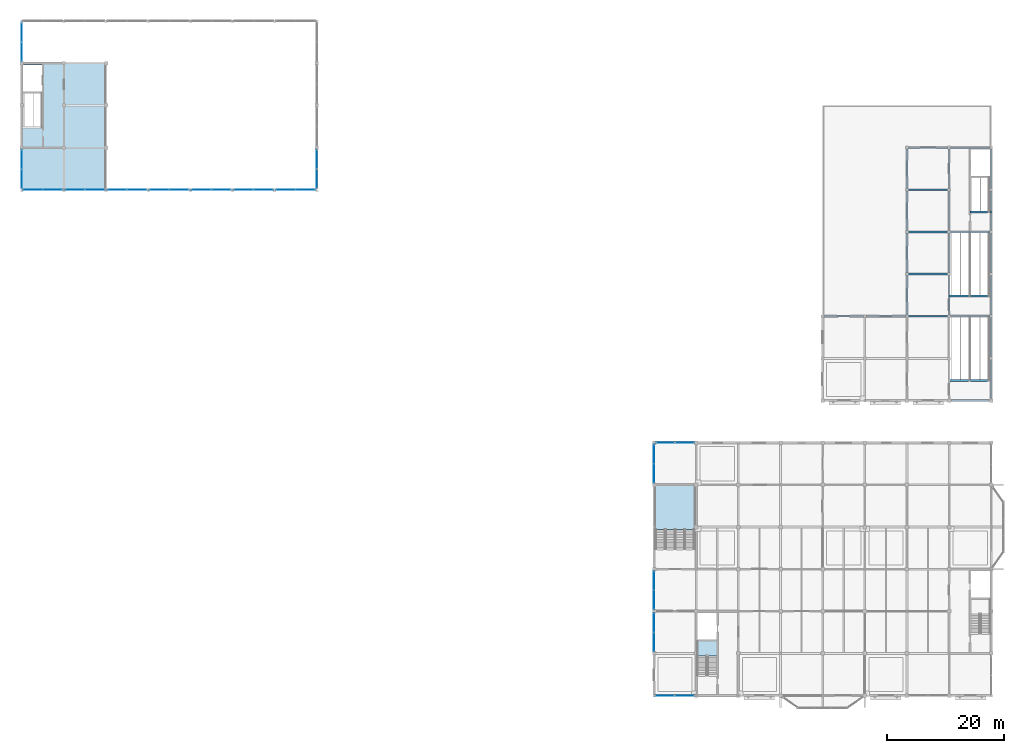
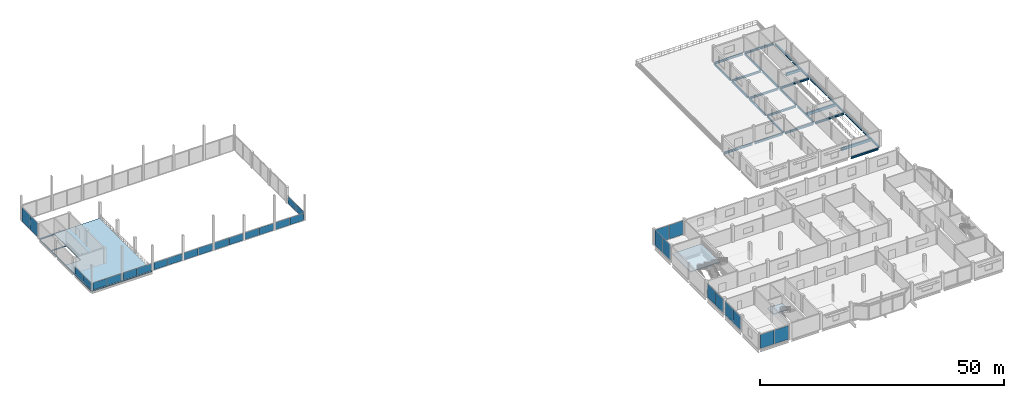
# One storey, part 33 of 51: 30 plates, 28 beams, 3 slabs, 17 elements without a shape of their own.
"""IFC4 building model written with IfcOpenShell, lengths in metres."""

import ifcopenshell
import ifcopenshell.guid

model = None  # the IFC model being written
_history = None  # IfcOwnerHistory: only IFC2X3 demands one
_inside = {}  # id of a spatial element -> (the spatial element, [elements in it])
_under = {}  # id of a project, library or spatial element -> (it, [spatial elements below it])
_declared = {}  # id of a project -> (the project, [libraries it declares])
_typed = {}  # id of a type object -> (the type object, [elements of that type])
_made_of = {}  # id of a material, layer set ... -> (it, [elements and type objects made of it])


def new_model(schema):
    """Start an empty IFC model of exactly this schema.

    Asked for "IFC4X3", IfcOpenShell would pick the latest addendum, in which some entities
    have other attributes; the version numbers below select the first issue.
    IFC2X3 requires an IfcOwnerHistory on every rooted entity: one is made here for all.
    """
    global model, _history
    if schema == "IFC4X3":
        model = ifcopenshell.file(schema_version=(4, 3, 0, 0))
    else:
        model = ifcopenshell.file(schema=schema)
    _inside.clear()
    _under.clear()
    _declared.clear()
    _typed.clear()
    _made_of.clear()
    _history = None
    if model.schema == "IFC2X3":
        org = make("IfcOrganization", Name="unknown")
        user = make(
            "IfcPersonAndOrganization",
            ThePerson=make("IfcPerson", FamilyName="unknown"),
            TheOrganization=org,
        )
        app = make(
            "IfcApplication",
            ApplicationDeveloper=org,
            Version="unknown",
            ApplicationFullName="unknown",
            ApplicationIdentifier="unknown",
        )
        _history = make(
            "IfcOwnerHistory",
            OwningUser=user,
            OwningApplication=app,
            ChangeAction="ADDED",
            CreationDate=0,
        )
    return model


def make(cls, **values):
    """One entity of the class cls with the attributes given. An attribute that is None is left unset."""
    return model.create_entity(
        cls, **{name: value for name, value in values.items() if value is not None}
    )


def rooted(cls, **values):
    """An entity with a GlobalId (a new one), such as an element, a storey or a relation."""
    return make(cls, GlobalId=ifcopenshell.guid.new(), OwnerHistory=_history, **values)


def si_unit(unit_type, name, prefix=None):
    """IfcSIUnit, for example si_unit("LENGTHUNIT", "METRE", prefix="MILLI")."""
    return make("IfcSIUnit", UnitType=unit_type, Prefix=prefix, Name=name)


def assignment(units):
    """IfcUnitAssignment: the units of a project."""
    return None if units is None else make("IfcUnitAssignment", Units=units)


def point(xyz):
    """IfcCartesianPoint."""
    return None if xyz is None else make("IfcCartesianPoint", Coordinates=xyz)


def direction(xyz):
    """IfcDirection."""
    return None if xyz is None else make("IfcDirection", DirectionRatios=xyz)


def frame(location, z_axis=None, x_axis=None):
    """IfcAxis2Placement3D, a coordinate frame: its origin and axes. An axis left out is left unset."""
    return make(
        "IfcAxis2Placement3D",
        Location=point(location),
        Axis=direction(z_axis),
        RefDirection=direction(x_axis),
    )


def frame_2d(location, x_axis=None):
    """IfcAxis2Placement2D, a coordinate frame in the plane: its origin and x axis."""
    return make(
        "IfcAxis2Placement2D", Location=point(location), RefDirection=direction(x_axis)
    )


def origin():
    """The frame at (0, 0, 0) with its axes left unset."""
    return frame((0.0, 0.0, 0.0))


def origin_2d():
    """The frame at (0, 0) in the plane with its x axis left unset."""
    return frame_2d((0.0, 0.0))


def place(relative_to, where):
    """IfcLocalPlacement: puts the frame where relative to a parent placement (None: the world)."""
    return make(
        "IfcLocalPlacement", PlacementRelTo=relative_to, RelativePlacement=where
    )


def context(
    kind, dimensions, precision=None, world=None, true_north=None, identifier=None
):
    """IfcGeometricRepresentationContext, for example the 3D "Model" context."""
    return make(
        "IfcGeometricRepresentationContext",
        ContextIdentifier=identifier,
        ContextType=kind,
        CoordinateSpaceDimension=dimensions,
        Precision=precision,
        WorldCoordinateSystem=world,
        TrueNorth=true_north,
    )


def subcontext(parent, identifier, kind, view, scale=None):
    """IfcGeometricRepresentationSubContext, for example "Body" below "Model"."""
    return make(
        "IfcGeometricRepresentationSubContext",
        ContextIdentifier=identifier,
        ContextType=kind,
        ParentContext=parent,
        TargetScale=scale,
        TargetView=view,
    )


def project(units=None, contexts=None):
    """IfcProject with its units and contexts."""
    return rooted(
        "IfcProject",
        Name="project",
        RepresentationContexts=contexts,
        UnitsInContext=assignment(units),
    )


def spatial(cls, under=None, at=None, **own):
    """A site, building, storey or space (cls), placed at a placement, below another one or the project."""
    s = rooted(cls, ObjectPlacement=at, **own)
    if under is not None:
        _under.setdefault(under.id(), (under, []))[1].append(s)
    return s


def polyline(points):
    """IfcPolyline through the points."""
    return make("IfcPolyline", Points=[point(p) for p in points])


def profile(cls, at=None, kind="AREA", **sizes):
    """A parametric profile (cls). Its sizes go by their IFC names, for example OverallWidth=200.0."""
    return make(cls, ProfileType=kind, Position=at, **sizes)


def rectangle(**sizes):
    """IfcRectangleProfileDef."""
    return profile("IfcRectangleProfileDef", **sizes)


def i_section(**sizes):
    """IfcIShapeProfileDef."""
    return profile("IfcIShapeProfileDef", **sizes)


def outline(outer, holes=None, kind="AREA"):
    """IfcArbitraryClosedProfileDef: a profile drawn as a closed curve; with holes, ...WithVoids."""
    if holes is None:
        return make("IfcArbitraryClosedProfileDef", ProfileType=kind, OuterCurve=outer)
    return make(
        "IfcArbitraryProfileDefWithVoids",
        ProfileType=kind,
        OuterCurve=outer,
        InnerCurves=holes,
    )


def extrude(swept, where, along, depth):
    """IfcExtrudedAreaSolid: the profile swept, set in the frame where, extruded along a direction by depth."""
    return make(
        "IfcExtrudedAreaSolid",
        SweptArea=swept,
        Position=where,
        ExtrudedDirection=direction(along),
        Depth=depth,
    )


def shape(context_of_items, identifier, shape_type, items):
    """IfcShapeRepresentation: the items that make up one representation, for example the "Body"."""
    return make(
        "IfcShapeRepresentation",
        ContextOfItems=context_of_items,
        RepresentationIdentifier=identifier,
        RepresentationType=shape_type,
        Items=items,
    )


def material(Name=None, Category=None):
    """IfcMaterial."""
    return make("IfcMaterial", Name=Name, Category=Category)


def layer(
    of_material, thickness, ventilated=None, Name=None, Category=None, Priority=None
):
    """IfcMaterialLayer: one layer of a wall or slab, of a material (None: an air gap)."""
    return make(
        "IfcMaterialLayer",
        Material=of_material,
        LayerThickness=thickness,
        IsVentilated=ventilated,
        Name=Name,
        Category=Category,
        Priority=Priority,
    )


def layer_set(layers, Name=None):
    """IfcMaterialLayerSet."""
    return make("IfcMaterialLayerSet", MaterialLayers=layers, LayerSetName=Name)


def material_profile(
    of_material, cross_section, Name=None, Category=None, Priority=None
):
    """IfcMaterialProfile: a cross section and its material."""
    return make(
        "IfcMaterialProfile",
        Name=Name,
        Material=of_material,
        Profile=cross_section,
        Priority=Priority,
        Category=Category,
    )


def profile_set(profiles, Name=None, composite=None):
    """IfcMaterialProfileSet."""
    return make(
        "IfcMaterialProfileSet",
        Name=Name,
        MaterialProfiles=profiles,
        CompositeProfile=composite,
    )


def made_of(thing, what):
    """Note that an element or type object is made of a material, layer set ...; save() writes the relation."""
    if what is not None:
        _made_of.setdefault(what.id(), (what, []))[1].append(thing)
    return thing


def type_object(cls, material=None, **own):
    """A type object (cls), such as IfcWallType, which elements share."""
    return made_of(rooted(cls, **own), material)


def element(
    cls,
    number,
    at=None,
    inside=None,
    cuts=None,
    type_object=None,
    material=None,
    context=None,
    identifier="Body",
    shape_type=None,
    held_by="IfcProductDefinitionShape",
    body=None,
    shapes=None,
    **own,
):
    """One element of the class cls, such as IfcWall. Its Tag is "e" and its number.

    at: its placement. inside: the storey or other place that contains it. cuts: it is an
    opening in that element (IfcRelVoidsElement). A single representation is given by context,
    identifier, shape_type and body (its items); several are given by shapes. held_by: the class
    of the entity that holds the representations. save() writes the other relations.
    """
    e = rooted(cls, Tag="e%d" % number, ObjectPlacement=at, **own)
    if body is not None:
        shapes = [shape(context, identifier, shape_type, body)]
    if shapes is not None:
        e.Representation = make(held_by, Representations=shapes)
    if inside is not None:
        _inside.setdefault(inside.id(), (inside, []))[1].append(e)
    if cuts is not None:
        rooted(
            "IfcRelVoidsElement", RelatingBuildingElement=cuts, RelatedOpeningElement=e
        )
    if type_object is not None:
        _typed.setdefault(type_object.id(), (type_object, []))[1].append(e)
    return made_of(e, material)


def aggregate(whole, parts):
    """IfcRelAggregates: a whole, such as a stair, and the parts it consists of."""
    return rooted("IfcRelAggregates", RelatingObject=whole, RelatedObjects=parts)


def save(model, path):
    """Write the relations noted so far, then the file.

    IfcRelAggregates (storeys below a building ...), IfcRelContainedInSpatialStructure (elements
    in a storey), IfcRelDefinesByType, IfcRelAssociatesMaterial and IfcRelDeclares: one each for
    every whole, place, type object, material and project.
    """
    for whole, parts in _under.values():
        aggregate(whole, parts)
    for where, things in _inside.values():
        rooted(
            "IfcRelContainedInSpatialStructure",
            RelatedElements=things,
            RelatingStructure=where,
        )
    for kind, things in _typed.values():
        rooted("IfcRelDefinesByType", RelatedObjects=things, RelatingType=kind)
    for what, things in _made_of.values():
        rooted("IfcRelAssociatesMaterial", RelatedObjects=things, RelatingMaterial=what)
    for by, libraries in _declared.values():
        rooted("IfcRelDeclares", RelatingContext=by, RelatedDefinitions=libraries)
    model.write(path)


model = new_model("IFC4")

# Units and contexts
model_context = context("Model", 3, precision=1e-05, world=origin(), true_north=direction((0.0, 1.0)))
body_context = subcontext(model_context, "Body", "Model", "MODEL_VIEW")
ifc_project = project(units=[si_unit("LENGTHUNIT", "METRE"), si_unit("AREAUNIT", "SQUARE_METRE"), si_unit("VOLUMEUNIT", "CUBIC_METRE"), si_unit("PLANEANGLEUNIT", "RADIAN"), si_unit("MASSUNIT", "GRAM", prefix="KILO")], contexts=[model_context])

# Site, building, storey
site_placement = place(None, origin())
site = spatial("IfcSite", under=ifc_project, at=site_placement, CompositionType="ELEMENT")
building_placement = place(site_placement, origin())
building = spatial("IfcBuilding", under=site, at=building_placement, Name="Vesperath Aquatics Centre", CompositionType="ELEMENT")
storey_placement = place(building_placement, frame((0.0, 0.0, 15.0)))
storey = spatial("IfcBuildingStorey", under=building, at=storey_placement, Name="L03", CompositionType="ELEMENT", Elevation=15.0)

# Beams
ifc_material_1 = material(Name="Concrete C35", Category="concrete")
ifc_material_profile_1 = material_profile(ifc_material_1, rectangle(XDim=0.35009765625, YDim=0.64990234375, at=origin_2d()), Name="RC 350x650")
ifc_profile_set_1 = profile_set([ifc_material_profile_1], Name="Concrete C35")
beam_type_1 = type_object("IfcBeamType", Name="BM-G05", PredefinedType="BEAM", material=ifc_profile_set_1)
beam_1_placement = place(storey_placement, frame((169.199951171875, 82.6201171875, -0.324951171875), z_axis=(1.0, 0.0, 0.0), x_axis=(0.0, 1.0, 0.0)))
element("IfcBeam", 1, at=beam_1_placement, inside=storey, type_object=beam_type_1, Name="Stair ST4 Landing Trimmer Beam B05 L03", PredefinedType="BEAM", context=body_context, shape_type="SweptSolid", body=[
    extrude(rectangle(XDim=0.35009765625, YDim=0.64990234375, at=origin_2d()), origin(), (0.0, 0.0, 1.0), 3.60009765625),
])
for number, where, z_axis, x_axis, name in (
    (2, (165.60009765625, 53.820068359375, -0.324951171875), (1.0, 0.0, 0.0), (0.0, 1.0, 0.0), "Stair ST12 Landing Trimmer Beam B05 L03"),
    (3, (165.60009765625, 68.219970703125, -0.324951171875), (1.0, 0.0, 0.0), (0.0, 1.0, 0.0), "Stair ST13 Landing Trimmer Beam B05 L03"),
):
    element("IfcBeam", number, at=place(storey_placement, frame(where, z_axis=z_axis, x_axis=x_axis)), inside=storey, type_object=beam_type_1, Name=name, PredefinedType="BEAM", context=body_context, shape_type="SweptSolid", body=[
        extrude(rectangle(XDim=0.35009765625, YDim=0.64990234375, at=origin_2d()), origin(), (0.0, 0.0, 1.0), 7.199951171875),
    ])
ifc_material_2 = material(Name="Steel Q355C", Category="steel")
ifc_material_profile_2 = material_profile(ifc_material_2, i_section(OverallWidth=0.300048828125, OverallDepth=0.488037109375, WebThickness=0.010986328125, FlangeThickness=0.01806640625, FilletRadius=0.02587890625, at=origin_2d()), Name="HM 488x300x11x18")
ifc_profile_set_2 = profile_set([ifc_material_profile_2], Name="Steel Q355C")
beam_type_2 = type_object("IfcBeamType", Name="BM-G10", PredefinedType="BEAM", material=ifc_profile_set_2)
beam_2_placement = place(storey_placement, frame((144.203125, 64.800048828125, -0.48388671875), z_axis=(1.0, 0.0, 0.0), x_axis=(0.0, 1.0, 0.0)))
element("IfcBeam", 4, at=beam_2_placement, inside=storey, type_object=beam_type_2, Name="Floor Girder B10 L03 K 21-22", PredefinedType="BEAM", context=body_context, shape_type="SweptSolid", body=[
    extrude(i_section(OverallWidth=0.300048828125, OverallDepth=0.488037109375, WebThickness=0.010986328125, FlangeThickness=0.01806640625, FilletRadius=0.02587890625, at=origin_2d()), origin(), (0.0, 0.0, 1.0), 6.793701171875),
])
for number, where, z_axis, x_axis, name in (
    (5, (151.4033203125, 64.800048828125, -0.48388671875), (1.0, 0.0, 0.0), (0.0, 1.0, 0.0), "Floor Girder B10 L03 K 22-23"),
    (6, (158.603271484375, 64.800048828125, -0.48388671875), (1.0, 0.0, 0.0), (0.0, 1.0, 0.0), "Floor Girder B10 L03 K 23-24"),
    (7, (158.603271484375, 72.0, -0.48388671875), (1.0, 0.0, 0.0), (0.0, 1.0, 0.0), "Floor Girder B10 L03 L 23-24"),
    (8, (158.603271484375, 79.199951171875, -0.48388671875), (1.0, 0.0, 0.0), (0.0, 1.0, 0.0), "Floor Girder B10 L03 M 23-24"),
    (9, (158.603271484375, 86.39990234375, -0.48388671875), (1.0, 0.0, 0.0), (0.0, 1.0, 0.0), "Floor Girder B10 L03 N 23-24"),
    (10, (158.603271484375, 93.60009765625, -0.48388671875), (1.0, 0.0, 0.0), (0.0, 1.0, 0.0), "Floor Girder B10 L03 P 23-24"),
):
    element("IfcBeam", number, at=place(storey_placement, frame(where, z_axis=z_axis, x_axis=x_axis)), inside=storey, type_object=beam_type_2, Name=name, PredefinedType="BEAM", context=body_context, shape_type="SweptSolid", body=[
        extrude(i_section(OverallWidth=0.300048828125, OverallDepth=0.488037109375, WebThickness=0.010986328125, FlangeThickness=0.01806640625, FilletRadius=0.02587890625, at=origin_2d()), origin(), (0.0, 0.0, 1.0), 6.79345703125),
    ])
beam_3_placement = place(storey_placement, frame((165.949951171875, 50.39990234375, -0.48388671875), z_axis=(1.0, 0.0, 0.0), x_axis=(0.0, 1.0, 0.0)))
element("IfcBeam", 11, at=beam_3_placement, inside=storey, type_object=beam_type_2, Name="Floor Girder B10 L03 H 24-25", PredefinedType="BEAM", context=body_context, shape_type="SweptSolid", body=[
    extrude(i_section(OverallWidth=0.300048828125, OverallDepth=0.488037109375, WebThickness=0.010986328125, FlangeThickness=0.01806640625, FilletRadius=0.02587890625, at=origin_2d()), origin(), (0.0, 0.0, 1.0), 6.5),
])
for number, where, z_axis, x_axis, name in (
    (12, (165.80322265625, 64.800048828125, -0.48388671875), (1.0, 0.0, 0.0), (0.0, 1.0, 0.0), "Floor Girder B10 L03 K 24-25"),
    (13, (165.80322265625, 79.199951171875, -0.48388671875), (1.0, 0.0, 0.0), (0.0, 1.0, 0.0), "Floor Girder B10 L03 M 24-25"),
    (14, (165.80322265625, 93.60009765625, -0.48388671875), (1.0, 0.0, 0.0), (0.0, 1.0, 0.0), "Floor Girder B10 L03 P 24-25"),
):
    element("IfcBeam", number, at=place(storey_placement, frame(where, z_axis=z_axis, x_axis=x_axis)), inside=storey, type_object=beam_type_2, Name=name, PredefinedType="BEAM", context=body_context, shape_type="SweptSolid", body=[
        extrude(i_section(OverallWidth=0.300048828125, OverallDepth=0.488037109375, WebThickness=0.010986328125, FlangeThickness=0.01806640625, FilletRadius=0.02587890625, at=origin_2d()), origin(), (0.0, 0.0, 1.0), 6.79345703125),
    ])
ifc_material_profile_3 = material_profile(ifc_material_2, i_section(OverallWidth=0.300048828125, OverallDepth=0.389892578125, WebThickness=0.010009765625, FlangeThickness=0.01611328125, FilletRadius=0.02197265625, at=origin_2d()), Name="HM 390x300x10x16")
ifc_profile_set_3 = profile_set([ifc_material_profile_3], Name="Steel Q355C")
beam_type_3 = type_object("IfcBeamType", Name="BM-G11", PredefinedType="BEAM", material=ifc_profile_set_3)
for number, where, z_axis, x_axis, name in (
    (15, (158.39990234375, 65.003173828125, -0.43505859375), (0.0, 1.0, 0.0), (-1.0, 0.0, 0.0), "Floor Girder B11 L03 23 K-L"),
    (16, (158.39990234375, 72.203125, -0.43505859375), (0.0, 1.0, 0.0), (-1.0, 0.0, 0.0), "Floor Girder B11 L03 23 L-M"),
):
    element("IfcBeam", number, at=place(storey_placement, frame(where, z_axis=z_axis, x_axis=x_axis)), inside=storey, type_object=beam_type_3, Name=name, PredefinedType="BEAM", context=body_context, shape_type="SweptSolid", body=[
        extrude(i_section(OverallWidth=0.300048828125, OverallDepth=0.389892578125, WebThickness=0.010009765625, FlangeThickness=0.01611328125, FilletRadius=0.02197265625, at=origin_2d()), origin(), (0.0, 0.0, 1.0), 6.793701171875),
    ])
for number, where, z_axis, x_axis, name in (
    (17, (158.39990234375, 79.4033203125, -0.43505859375), (0.0, 1.0, 0.0), (-1.0, 0.0, 0.0), "Floor Girder B11 L03 23 M-N"),
    (18, (158.39990234375, 86.603271484375, -0.43505859375), (0.0, 1.0, 0.0), (-1.0, 0.0, 0.0), "Floor Girder B11 L03 23 N-P"),
):
    element("IfcBeam", number, at=place(storey_placement, frame(where, z_axis=z_axis, x_axis=x_axis)), inside=storey, type_object=beam_type_3, Name=name, PredefinedType="BEAM", context=body_context, shape_type="SweptSolid", body=[
        extrude(i_section(OverallWidth=0.300048828125, OverallDepth=0.389892578125, WebThickness=0.010009765625, FlangeThickness=0.01611328125, FilletRadius=0.02197265625, at=origin_2d()), origin(), (0.0, 0.0, 1.0), 6.79345703125),
    ])
for number, where, z_axis, x_axis, name in (
    (19, (165.60009765625, 65.003173828125, -0.43505859375), (0.0, 1.0, 0.0), (-1.0, 0.0, 0.0), "Floor Girder B11 L03 24 K-L"),
    (20, (165.60009765625, 72.203125, -0.43505859375), (0.0, 1.0, 0.0), (-1.0, 0.0, 0.0), "Floor Girder B11 L03 24 L-M"),
):
    element("IfcBeam", number, at=place(storey_placement, frame(where, z_axis=z_axis, x_axis=x_axis)), inside=storey, type_object=beam_type_3, Name=name, PredefinedType="BEAM", context=body_context, shape_type="SweptSolid", body=[
        extrude(i_section(OverallWidth=0.300048828125, OverallDepth=0.389892578125, WebThickness=0.010009765625, FlangeThickness=0.01611328125, FilletRadius=0.02197265625, at=origin_2d()), origin(), (0.0, 0.0, 1.0), 6.793701171875),
    ])
for number, where, z_axis, x_axis, name in (
    (21, (165.60009765625, 79.4033203125, -0.43505859375), (0.0, 1.0, 0.0), (-1.0, 0.0, 0.0), "Floor Girder B11 L03 24 M-N"),
    (22, (165.60009765625, 86.603271484375, -0.43505859375), (0.0, 1.0, 0.0), (-1.0, 0.0, 0.0), "Floor Girder B11 L03 24 N-P"),
):
    element("IfcBeam", number, at=place(storey_placement, frame(where, z_axis=z_axis, x_axis=x_axis)), inside=storey, type_object=beam_type_3, Name=name, PredefinedType="BEAM", context=body_context, shape_type="SweptSolid", body=[
        extrude(i_section(OverallWidth=0.300048828125, OverallDepth=0.389892578125, WebThickness=0.010009765625, FlangeThickness=0.01611328125, FilletRadius=0.02197265625, at=origin_2d()), origin(), (0.0, 0.0, 1.0), 6.79345703125),
    ])
beam_4_placement = place(storey_placement, frame((172.800048828125, 50.75, -0.43505859375), z_axis=(0.0, 1.0, 0.0), x_axis=(-1.0, 0.0, 0.0)))
element("IfcBeam", 23, at=beam_4_placement, inside=storey, type_object=beam_type_3, Name="Floor Girder B11 L03 25 H-J", PredefinedType="BEAM", context=body_context, shape_type="SweptSolid", body=[
    extrude(i_section(OverallWidth=0.300048828125, OverallDepth=0.389892578125, WebThickness=0.010009765625, FlangeThickness=0.01611328125, FilletRadius=0.02197265625, at=origin_2d()), origin(), (0.0, 0.0, 1.0), 6.646728515625),
])
beam_5_placement = place(storey_placement, frame((172.800048828125, 57.80322265625, -0.43505859375), z_axis=(0.0, 1.0, 0.0), x_axis=(-1.0, 0.0, 0.0)))
element("IfcBeam", 24, at=beam_5_placement, inside=storey, type_object=beam_type_3, Name="Floor Girder B11 L03 25 J-K", PredefinedType="BEAM", context=body_context, shape_type="SweptSolid", body=[
    extrude(i_section(OverallWidth=0.300048828125, OverallDepth=0.389892578125, WebThickness=0.010009765625, FlangeThickness=0.01611328125, FilletRadius=0.02197265625, at=origin_2d()), origin(), (0.0, 0.0, 1.0), 6.79345703125),
])
for number, where, z_axis, x_axis, name in (
    (25, (172.800048828125, 65.003173828125, -0.43505859375), (0.0, 1.0, 0.0), (-1.0, 0.0, 0.0), "Floor Girder B11 L03 25 K-L"),
    (26, (172.800048828125, 72.203125, -0.43505859375), (0.0, 1.0, 0.0), (-1.0, 0.0, 0.0), "Floor Girder B11 L03 25 L-M"),
):
    element("IfcBeam", number, at=place(storey_placement, frame(where, z_axis=z_axis, x_axis=x_axis)), inside=storey, type_object=beam_type_3, Name=name, PredefinedType="BEAM", context=body_context, shape_type="SweptSolid", body=[
        extrude(i_section(OverallWidth=0.300048828125, OverallDepth=0.389892578125, WebThickness=0.010009765625, FlangeThickness=0.01611328125, FilletRadius=0.02197265625, at=origin_2d()), origin(), (0.0, 0.0, 1.0), 6.793701171875),
    ])
for number, where, z_axis, x_axis, name in (
    (27, (172.800048828125, 79.4033203125, -0.43505859375), (0.0, 1.0, 0.0), (-1.0, 0.0, 0.0), "Floor Girder B11 L03 25 M-N"),
    (28, (172.800048828125, 86.603271484375, -0.43505859375), (0.0, 1.0, 0.0), (-1.0, 0.0, 0.0), "Floor Girder B11 L03 25 N-P"),
):
    element("IfcBeam", number, at=place(storey_placement, frame(where, z_axis=z_axis, x_axis=x_axis)), inside=storey, type_object=beam_type_3, Name=name, PredefinedType="BEAM", context=body_context, shape_type="SweptSolid", body=[
        extrude(i_section(OverallWidth=0.300048828125, OverallDepth=0.389892578125, WebThickness=0.010009765625, FlangeThickness=0.01611328125, FilletRadius=0.02197265625, at=origin_2d()), origin(), (0.0, 0.0, 1.0), 6.79345703125),
    ])

# Curtain wall, plates
ifc_material_3 = material(Name="Thermally broken anodised bronze aluminium curtain wall", Category="aluminium")
curtain_wall_type_1 = type_object("IfcCurtainWallType", Name="CW-04", PredefinedType="NOTDEFINED", material=ifc_material_3)
curtain_wall_1_placement = place(storey_placement, origin())
curtain_wall_1 = element("IfcCurtainWall", 29, at=curtain_wall_1_placement, inside=storey, type_object=curtain_wall_type_1, Name="Facade Curtain Wall CW04 L03_S_01_12", PredefinedType="NOTDEFINED")
ifc_material_4 = material(Name="Triple low-E argon insulated vision glass", Category="glass")
ifc_layer_1 = layer(ifc_material_4, 0.0380859375)
ifc_layer_set_1 = layer_set([ifc_layer_1], Name="Triple low-E argon insulated vision glass")
plate_type_1 = type_object("IfcPlateType", Name="PT-CWP04", PredefinedType="CURTAIN_PANEL", material=ifc_layer_set_1)
plate_1_placement = place(storey_placement, frame((9.119140625, 86.39990234375, 0.06982421875), z_axis=(0.0, 0.0, 1.0), x_axis=(1.0, 0.0, 0.0)))
plate_1 = element("IfcPlate", 30, at=plate_1_placement, type_object=plate_type_1, Name="CW04 panel 1.1", PredefinedType="CURTAIN_PANEL", context=body_context, shape_type="SweptSolid", body=[
    extrude(rectangle(XDim=3.29150390625, YDim=0.0380859375, at=origin_2d()), origin(), (0.0, 0.0, 1.0), 1.786376953125),
])
plate_2_placement = place(storey_placement, frame((12.480712890625, 86.39990234375, 0.06982421875), z_axis=(0.0, 0.0, 1.0), x_axis=(1.0, 0.0, 0.0)))
plate_2 = element("IfcPlate", 31, at=plate_2_placement, type_object=plate_type_1, Name="CW04 panel 2.1", PredefinedType="CURTAIN_PANEL", context=body_context, shape_type="SweptSolid", body=[
    extrude(rectangle(XDim=3.29150390625, YDim=0.0380859375, at=origin_2d()), origin(), (0.0, 0.0, 1.0), 1.786376953125),
])
aggregate(curtain_wall_1, [plate_1, plate_2])

curtain_wall_2_placement = place(storey_placement, origin())
curtain_wall_2 = element("IfcCurtainWall", 32, at=curtain_wall_2_placement, inside=storey, type_object=curtain_wall_type_1, Name="Facade Curtain Wall CW04 L03_S_02_12", PredefinedType="NOTDEFINED")
plate_3_placement = place(storey_placement, frame((16.3193359375, 86.39990234375, 0.06982421875), z_axis=(0.0, 0.0, 1.0), x_axis=(1.0, 0.0, 0.0)))
plate_3 = element("IfcPlate", 33, at=plate_3_placement, type_object=plate_type_1, Name="CW04 panel 1.1", PredefinedType="CURTAIN_PANEL", context=body_context, shape_type="SweptSolid", body=[
    extrude(rectangle(XDim=3.29150390625, YDim=0.0380859375, at=origin_2d()), origin(), (0.0, 0.0, 1.0), 1.786376953125),
])
plate_4_placement = place(storey_placement, frame((19.6806640625, 86.39990234375, 0.06982421875), z_axis=(0.0, 0.0, 1.0), x_axis=(1.0, 0.0, 0.0)))
plate_4 = element("IfcPlate", 34, at=plate_4_placement, type_object=plate_type_1, Name="CW04 panel 2.1", PredefinedType="CURTAIN_PANEL", context=body_context, shape_type="SweptSolid", body=[
    extrude(rectangle(XDim=3.29150390625, YDim=0.0380859375, at=origin_2d()), origin(), (0.0, 0.0, 1.0), 1.786376953125),
])
aggregate(curtain_wall_2, [plate_3, plate_4])

curtain_wall_3_placement = place(storey_placement, origin())
curtain_wall_3 = element("IfcCurtainWall", 35, at=curtain_wall_3_placement, inside=storey, type_object=curtain_wall_type_1, Name="Facade Curtain Wall CW04 L03_S_03_12", PredefinedType="NOTDEFINED")
plate_5_placement = place(storey_placement, frame((23.519287109375, 86.39990234375, 0.06982421875), z_axis=(0.0, 0.0, 1.0), x_axis=(1.0, 0.0, 0.0)))
plate_5 = element("IfcPlate", 36, at=plate_5_placement, type_object=plate_type_1, Name="CW04 panel 1.1", PredefinedType="CURTAIN_PANEL", context=body_context, shape_type="SweptSolid", body=[
    extrude(rectangle(XDim=3.29150390625, YDim=0.0380859375, at=origin_2d()), origin(), (0.0, 0.0, 1.0), 1.786376953125),
])
plate_6_placement = place(storey_placement, frame((26.880859375, 86.39990234375, 0.06982421875), z_axis=(0.0, 0.0, 1.0), x_axis=(1.0, 0.0, 0.0)))
plate_6 = element("IfcPlate", 37, at=plate_6_placement, type_object=plate_type_1, Name="CW04 panel 2.1", PredefinedType="CURTAIN_PANEL", context=body_context, shape_type="SweptSolid", body=[
    extrude(rectangle(XDim=3.29150390625, YDim=0.0380859375, at=origin_2d()), origin(), (0.0, 0.0, 1.0), 1.786376953125),
])
aggregate(curtain_wall_3, [plate_5, plate_6])

curtain_wall_4_placement = place(storey_placement, origin())
curtain_wall_4 = element("IfcCurtainWall", 38, at=curtain_wall_4_placement, inside=storey, type_object=curtain_wall_type_1, Name="Facade Curtain Wall CW04 L03_S_04_12", PredefinedType="NOTDEFINED")
plate_7_placement = place(storey_placement, frame((30.71923828125, 86.39990234375, 0.06982421875), z_axis=(0.0, 0.0, 1.0), x_axis=(1.0, 0.0, 0.0)))
plate_7 = element("IfcPlate", 39, at=plate_7_placement, type_object=plate_type_1, Name="CW04 panel 1.1", PredefinedType="CURTAIN_PANEL", context=body_context, shape_type="SweptSolid", body=[
    extrude(rectangle(XDim=3.29150390625, YDim=0.0380859375, at=origin_2d()), origin(), (0.0, 0.0, 1.0), 1.786376953125),
])
plate_8_placement = place(storey_placement, frame((34.080810546875, 86.39990234375, 0.06982421875), z_axis=(0.0, 0.0, 1.0), x_axis=(1.0, 0.0, 0.0)))
plate_8 = element("IfcPlate", 40, at=plate_8_placement, type_object=plate_type_1, Name="CW04 panel 2.1", PredefinedType="CURTAIN_PANEL", context=body_context, shape_type="SweptSolid", body=[
    extrude(rectangle(XDim=3.29150390625, YDim=0.0380859375, at=origin_2d()), origin(), (0.0, 0.0, 1.0), 1.786376953125),
])
aggregate(curtain_wall_4, [plate_7, plate_8])

curtain_wall_5_placement = place(storey_placement, origin())
curtain_wall_5 = element("IfcCurtainWall", 41, at=curtain_wall_5_placement, inside=storey, type_object=curtain_wall_type_1, Name="Facade Curtain Wall CW04 L03_S_05_12", PredefinedType="NOTDEFINED")
plate_9_placement = place(storey_placement, frame((37.919189453125, 86.39990234375, 0.06982421875), z_axis=(0.0, 0.0, 1.0), x_axis=(1.0, 0.0, 0.0)))
plate_9 = element("IfcPlate", 42, at=plate_9_placement, type_object=plate_type_1, Name="CW04 panel 1.1", PredefinedType="CURTAIN_PANEL", context=body_context, shape_type="SweptSolid", body=[
    extrude(rectangle(XDim=3.29150390625, YDim=0.0380859375, at=origin_2d()), origin(), (0.0, 0.0, 1.0), 1.786376953125),
])
plate_10_placement = place(storey_placement, frame((41.28076171875, 86.39990234375, 0.06982421875), z_axis=(0.0, 0.0, 1.0), x_axis=(1.0, 0.0, 0.0)))
plate_10 = element("IfcPlate", 43, at=plate_10_placement, type_object=plate_type_1, Name="CW04 panel 2.1", PredefinedType="CURTAIN_PANEL", context=body_context, shape_type="SweptSolid", body=[
    extrude(rectangle(XDim=3.29150390625, YDim=0.0380859375, at=origin_2d()), origin(), (0.0, 0.0, 1.0), 1.786376953125),
])
aggregate(curtain_wall_5, [plate_9, plate_10])

curtain_wall_6_placement = place(storey_placement, origin())
curtain_wall_6 = element("IfcCurtainWall", 44, at=curtain_wall_6_placement, inside=storey, type_object=curtain_wall_type_1, Name="Facade Curtain Wall CW04 L03_S_06_12", PredefinedType="NOTDEFINED")
plate_11_placement = place(storey_placement, frame((45.119140625, 86.39990234375, 0.06982421875), z_axis=(0.0, 0.0, 1.0), x_axis=(1.0, 0.0, 0.0)))
plate_11 = element("IfcPlate", 45, at=plate_11_placement, type_object=plate_type_1, Name="CW04 panel 1.1", PredefinedType="CURTAIN_PANEL", context=body_context, shape_type="SweptSolid", body=[
    extrude(rectangle(XDim=3.29150390625, YDim=0.0380859375, at=origin_2d()), origin(), (0.0, 0.0, 1.0), 1.786376953125),
])
plate_12_placement = place(storey_placement, frame((48.480712890625, 86.39990234375, 0.06982421875), z_axis=(0.0, 0.0, 1.0), x_axis=(1.0, 0.0, 0.0)))
plate_12 = element("IfcPlate", 46, at=plate_12_placement, type_object=plate_type_1, Name="CW04 panel 2.1", PredefinedType="CURTAIN_PANEL", context=body_context, shape_type="SweptSolid", body=[
    extrude(rectangle(XDim=3.29150390625, YDim=0.0380859375, at=origin_2d()), origin(), (0.0, 0.0, 1.0), 1.786376953125),
])
aggregate(curtain_wall_6, [plate_11, plate_12])

curtain_wall_7_placement = place(storey_placement, origin())
curtain_wall_7 = element("IfcCurtainWall", 47, at=curtain_wall_7_placement, inside=storey, type_object=curtain_wall_type_1, Name="Facade Curtain Wall CW04 L03_S_07_12", PredefinedType="NOTDEFINED")
plate_13_placement = place(storey_placement, frame((52.3193359375, 86.39990234375, 0.06982421875), z_axis=(0.0, 0.0, 1.0), x_axis=(1.0, 0.0, 0.0)))
plate_13 = element("IfcPlate", 48, at=plate_13_placement, type_object=plate_type_1, Name="CW04 panel 1.1", PredefinedType="CURTAIN_PANEL", context=body_context, shape_type="SweptSolid", body=[
    extrude(rectangle(XDim=3.29150390625, YDim=0.0380859375, at=origin_2d()), origin(), (0.0, 0.0, 1.0), 1.786376953125),
])
plate_14_placement = place(storey_placement, frame((55.6806640625, 86.39990234375, 0.06982421875), z_axis=(0.0, 0.0, 1.0), x_axis=(1.0, 0.0, 0.0)))
plate_14 = element("IfcPlate", 49, at=plate_14_placement, type_object=plate_type_1, Name="CW04 panel 2.1", PredefinedType="CURTAIN_PANEL", context=body_context, shape_type="SweptSolid", body=[
    extrude(rectangle(XDim=3.29150390625, YDim=0.0380859375, at=origin_2d()), origin(), (0.0, 0.0, 1.0), 1.786376953125),
])
aggregate(curtain_wall_7, [plate_13, plate_14])

curtain_wall_8_placement = place(storey_placement, origin())
curtain_wall_8 = element("IfcCurtainWall", 50, at=curtain_wall_8_placement, inside=storey, type_object=curtain_wall_type_1, Name="Facade Curtain Wall CW04 L03_W_01_12", PredefinedType="NOTDEFINED")
plate_15_placement = place(storey_placement, frame((7.199951171875, 88.302978515625, 0.06982421875), z_axis=(0.0, 0.0, 1.0), x_axis=(0.0, 1.0, 0.0)))
plate_15 = element("IfcPlate", 51, at=plate_15_placement, type_object=plate_type_1, Name="CW04 panel 1.1", PredefinedType="CURTAIN_PANEL", context=body_context, shape_type="SweptSolid", body=[
    extrude(rectangle(XDim=3.238037109375, YDim=0.0380859375, at=origin_2d()), origin(), (0.0, 0.0, 1.0), 1.786376953125),
])
plate_16_placement = place(storey_placement, frame((7.199951171875, 91.611083984375, 0.06982421875), z_axis=(0.0, 0.0, 1.0), x_axis=(0.0, 1.0, 0.0)))
plate_16 = element("IfcPlate", 52, at=plate_16_placement, type_object=plate_type_1, Name="CW04 panel 2.1", PredefinedType="CURTAIN_PANEL", context=body_context, shape_type="SweptSolid", body=[
    extrude(rectangle(XDim=3.238037109375, YDim=0.0380859375, at=origin_2d()), origin(), (0.0, 0.0, 1.0), 1.786376953125),
])
aggregate(curtain_wall_8, [plate_15, plate_16])

curtain_wall_9_placement = place(storey_placement, origin())
curtain_wall_9 = element("IfcCurtainWall", 53, at=curtain_wall_9_placement, inside=storey, type_object=curtain_wall_type_1, Name="Facade Curtain Wall CW04 L03_W_01_15", PredefinedType="NOTDEFINED")
plate_17_placement = place(storey_placement, frame((7.199951171875, 109.992431640625, 0.06982421875), z_axis=(0.0, 0.0, 1.0), x_axis=(0.0, 1.0, 0.0)))
plate_17 = element("IfcPlate", 54, at=plate_17_placement, type_object=plate_type_1, Name="CW04 panel 1.1", PredefinedType="CURTAIN_PANEL", context=body_context, shape_type="SweptSolid", body=[
    extrude(rectangle(XDim=3.2451171875, YDim=0.0380859375, at=origin_2d()), origin(), (0.0, 0.0, 1.0), 3.510009765625),
])
plate_18_placement = place(storey_placement, frame((7.199951171875, 113.3076171875, 0.06982421875), z_axis=(0.0, 0.0, 1.0), x_axis=(0.0, 1.0, 0.0)))
plate_18 = element("IfcPlate", 55, at=plate_18_placement, type_object=plate_type_1, Name="CW04 panel 2.1", PredefinedType="CURTAIN_PANEL", context=body_context, shape_type="SweptSolid", body=[
    extrude(rectangle(XDim=3.2451171875, YDim=0.0380859375, at=origin_2d()), origin(), (0.0, 0.0, 1.0), 3.510009765625),
])
aggregate(curtain_wall_9, [plate_17, plate_18])

curtain_wall_10_placement = place(storey_placement, origin())
curtain_wall_10 = element("IfcCurtainWall", 56, at=curtain_wall_10_placement, inside=storey, type_object=curtain_wall_type_1, Name="Facade Curtain Wall CW04 L03_E_08_12", PredefinedType="NOTDEFINED")
plate_19_placement = place(storey_placement, frame((57.60009765625, 88.302978515625, 0.06982421875), z_axis=(0.0, 0.0, 1.0), x_axis=(0.0, 1.0, 0.0)))
plate_19 = element("IfcPlate", 57, at=plate_19_placement, type_object=plate_type_1, Name="CW04 panel 1.1", PredefinedType="CURTAIN_PANEL", context=body_context, shape_type="SweptSolid", body=[
    extrude(rectangle(XDim=3.238037109375, YDim=0.0380859375, at=origin_2d()), origin(), (0.0, 0.0, 1.0), 1.786376953125),
])
plate_20_placement = place(storey_placement, frame((57.60009765625, 91.611083984375, 0.06982421875), z_axis=(0.0, 0.0, 1.0), x_axis=(0.0, 1.0, 0.0)))
plate_20 = element("IfcPlate", 58, at=plate_20_placement, type_object=plate_type_1, Name="CW04 panel 2.1", PredefinedType="CURTAIN_PANEL", context=body_context, shape_type="SweptSolid", body=[
    extrude(rectangle(XDim=3.238037109375, YDim=0.0380859375, at=origin_2d()), origin(), (0.0, 0.0, 1.0), 1.786376953125),
])
aggregate(curtain_wall_10, [plate_19, plate_20])

curtain_wall_type_2 = type_object("IfcCurtainWallType", Name="CW-07", PredefinedType="NOTDEFINED", material=ifc_material_3)
curtain_wall_11_placement = place(storey_placement, origin())
curtain_wall_11 = element("IfcCurtainWall", 59, at=curtain_wall_11_placement, inside=storey, type_object=curtain_wall_type_2, Name="Facade Curtain Wall CW07 L03_S_16_00", PredefinedType="NOTDEFINED")
ifc_layer_2 = layer(ifc_material_4, 0.035888671875)
ifc_layer_set_2 = layer_set([ifc_layer_2], Name="Triple low-E argon insulated vision glass")
plate_type_2 = type_object("IfcPlateType", Name="PT-CWP06", PredefinedType="CURTAIN_PANEL", material=ifc_layer_set_2)
plate_21_placement = place(storey_placement, frame((117.0361328125, 0.0, 0.070068359375), z_axis=(0.0, 0.0, 1.0), x_axis=(1.0, 0.0, 0.0)))
plate_21 = element("IfcPlate", 60, at=plate_21_placement, type_object=plate_type_2, Name="CW07 panel 1.1", PredefinedType="CURTAIN_PANEL", context=body_context, shape_type="SweptSolid", body=[
    extrude(rectangle(XDim=3.282470703125, YDim=0.035888671875, at=origin_2d()), origin(), (0.0, 0.0, 1.0), 3.47998046875),
])
plate_22_placement = place(storey_placement, frame((120.388671875, 0.0, 0.070068359375), z_axis=(0.0, 0.0, 1.0), x_axis=(1.0, 0.0, 0.0)))
plate_22 = element("IfcPlate", 61, at=plate_22_placement, type_object=plate_type_2, Name="CW07 panel 2.1", PredefinedType="CURTAIN_PANEL", context=body_context, shape_type="SweptSolid", body=[
    extrude(rectangle(XDim=3.282470703125, YDim=0.035888671875, at=origin_2d()), origin(), (0.0, 0.0, 1.0), 3.47998046875),
])
aggregate(curtain_wall_11, [plate_21, plate_22])

curtain_wall_12_placement = place(storey_placement, origin())
curtain_wall_12 = element("IfcCurtainWall", 62, at=curtain_wall_12_placement, inside=storey, type_object=curtain_wall_type_2, Name="Facade Curtain Wall CW07 L03_N_16_06", PredefinedType="NOTDEFINED")
plate_23_placement = place(storey_placement, frame((117.16748046875, 43.199951171875, 0.070068359375), z_axis=(0.0, 0.0, 1.0), x_axis=(1.0, 0.0, 0.0)))
plate_23 = element("IfcPlate", 63, at=plate_23_placement, type_object=plate_type_2, Name="CW07 panel 1.1", PredefinedType="CURTAIN_PANEL", context=body_context, shape_type="SweptSolid", body=[
    extrude(rectangle(XDim=3.195068359375, YDim=0.035888671875, at=origin_2d()), origin(), (0.0, 0.0, 1.0), 3.47998046875),
])
plate_24_placement = place(storey_placement, frame((120.4326171875, 43.199951171875, 0.070068359375), z_axis=(0.0, 0.0, 1.0), x_axis=(1.0, 0.0, 0.0)))
plate_24 = element("IfcPlate", 64, at=plate_24_placement, type_object=plate_type_2, Name="CW07 panel 2.1", PredefinedType="CURTAIN_PANEL", context=body_context, shape_type="SweptSolid", body=[
    extrude(rectangle(XDim=3.195068359375, YDim=0.035888671875, at=origin_2d()), origin(), (0.0, 0.0, 1.0), 3.47998046875),
])
aggregate(curtain_wall_12, [plate_23, plate_24])

curtain_wall_13_placement = place(storey_placement, origin())
curtain_wall_13 = element("IfcCurtainWall", 65, at=curtain_wall_13_placement, inside=storey, type_object=curtain_wall_type_2, Name="Facade Curtain Wall CW07 L03_W_16_01", PredefinedType="NOTDEFINED")
plate_25_placement = place(storey_placement, frame((115.199951171875, 9.16748046875, 0.06982421875), z_axis=(0.0, 0.0, 1.0), x_axis=(0.0, 1.0, 0.0)))
plate_25 = element("IfcPlate", 66, at=plate_25_placement, type_object=plate_type_2, Name="CW07 panel 1.1", PredefinedType="CURTAIN_PANEL", context=body_context, shape_type="SweptSolid", body=[
    extrude(rectangle(XDim=3.195068359375, YDim=0.035888671875, at=origin_2d()), origin(), (0.0, 0.0, 1.0), 3.429931640625),
])
plate_26_placement = place(storey_placement, frame((115.199951171875, 12.4326171875, 0.06982421875), z_axis=(0.0, 0.0, 1.0), x_axis=(0.0, 1.0, 0.0)))
plate_26 = element("IfcPlate", 67, at=plate_26_placement, type_object=plate_type_2, Name="CW07 panel 2.1", PredefinedType="CURTAIN_PANEL", context=body_context, shape_type="SweptSolid", body=[
    extrude(rectangle(XDim=3.195068359375, YDim=0.035888671875, at=origin_2d()), origin(), (0.0, 0.0, 1.0), 3.429931640625),
])
aggregate(curtain_wall_13, [plate_25, plate_26])

curtain_wall_14_placement = place(storey_placement, origin())
curtain_wall_14 = element("IfcCurtainWall", 68, at=curtain_wall_14_placement, inside=storey, type_object=curtain_wall_type_2, Name="Facade Curtain Wall CW07 L03_W_16_02", PredefinedType="NOTDEFINED")
plate_27_placement = place(storey_placement, frame((115.199951171875, 16.367431640625, 0.06982421875), z_axis=(0.0, 0.0, 1.0), x_axis=(0.0, 1.0, 0.0)))
plate_27 = element("IfcPlate", 69, at=plate_27_placement, type_object=plate_type_2, Name="CW07 panel 1.1", PredefinedType="CURTAIN_PANEL", context=body_context, shape_type="SweptSolid", body=[
    extrude(rectangle(XDim=3.195068359375, YDim=0.035888671875, at=origin_2d()), origin(), (0.0, 0.0, 1.0), 3.429931640625),
])
plate_28_placement = place(storey_placement, frame((115.199951171875, 19.632568359375, 0.06982421875), z_axis=(0.0, 0.0, 1.0), x_axis=(0.0, 1.0, 0.0)))
plate_28 = element("IfcPlate", 70, at=plate_28_placement, type_object=plate_type_2, Name="CW07 panel 2.1", PredefinedType="CURTAIN_PANEL", context=body_context, shape_type="SweptSolid", body=[
    extrude(rectangle(XDim=3.195068359375, YDim=0.035888671875, at=origin_2d()), origin(), (0.0, 0.0, 1.0), 3.429931640625),
])
aggregate(curtain_wall_14, [plate_27, plate_28])

curtain_wall_15_placement = place(storey_placement, origin())
curtain_wall_15 = element("IfcCurtainWall", 71, at=curtain_wall_15_placement, inside=storey, type_object=curtain_wall_type_2, Name="Facade Curtain Wall CW07 L03_W_16_05", PredefinedType="NOTDEFINED")
plate_29_placement = place(storey_placement, frame((115.199951171875, 37.967529296875, 0.06982421875), z_axis=(0.0, 0.0, 1.0), x_axis=(0.0, 1.0, 0.0)))
plate_29 = element("IfcPlate", 72, at=plate_29_placement, type_object=plate_type_2, Name="CW07 panel 1.1", PredefinedType="CURTAIN_PANEL", context=body_context, shape_type="SweptSolid", body=[
    extrude(rectangle(XDim=3.195068359375, YDim=0.035888671875, at=origin_2d()), origin(), (0.0, 0.0, 1.0), 3.820068359375),
])
plate_30_placement = place(storey_placement, frame((115.199951171875, 41.232421875, 0.06982421875), z_axis=(0.0, 0.0, 1.0), x_axis=(0.0, 1.0, 0.0)))
plate_30 = element("IfcPlate", 73, at=plate_30_placement, type_object=plate_type_2, Name="CW07 panel 2.1", PredefinedType="CURTAIN_PANEL", context=body_context, shape_type="SweptSolid", body=[
    extrude(rectangle(XDim=3.195068359375, YDim=0.035888671875, at=origin_2d()), origin(), (0.0, 0.0, 1.0), 3.820068359375),
])
aggregate(curtain_wall_15, [plate_29, plate_30])

# Slab
ifc_layer_3 = layer(ifc_material_1, 0.239990234375)
ifc_layer_set_3 = layer_set([ifc_layer_3], Name="Concrete C35")
slab_type_1 = type_object("IfcSlabType", Name="SL-FL03", PredefinedType="FLOOR", material=ifc_layer_set_3)
slab_1_placement = place(storey_placement, frame((0.0, 0.0, -0.239990234375)))
element("IfcSlab", 74, at=slab_1_placement, inside=storey, type_object=slab_type_1, Name="Diving Platform Coaching Gallery Slab SL03 L03", PredefinedType="FLOOR", context=body_context, shape_type="SweptSolid", body=[
    extrude(outline(polyline([(7.199951171875, 86.39990234375), (21.60009765625, 86.39990234375), (21.60009765625, 108.0), (7.199951171875, 108.0), (7.199951171875, 86.39990234375)]), holes=[polyline([(7.280029296875, 97.050048828125), (10.739990234375, 97.050048828125), (10.739990234375, 102.9599609375), (7.280029296875, 102.9599609375), (7.280029296875, 97.050048828125)]), polyline([(7.280029296875, 103.139892578125), (10.739990234375, 103.139892578125), (10.739990234375, 107.679931640625), (7.280029296875, 107.679931640625), (7.280029296875, 103.139892578125)])]), origin(), (0.0, 0.0, 1.0), 0.239990234375),
])

# Stair, slab
stair_type_1 = type_object("IfcStairType", Name="ST-HT42", PredefinedType="HALF_TURN_STAIR", material=ifc_material_1)
stair_1_placement = place(storey_placement, origin())
stair_1 = element("IfcStair", 75, at=stair_1_placement, inside=storey, type_object=stair_type_1, Name="Enclosed Exit Stair ST5 L03", PredefinedType="HALF_TURN_STAIR")
ifc_layer_4 = layer(ifc_material_1, 0.199951171875)
ifc_layer_set_4 = layer_set([ifc_layer_4], Name="Concrete C35")
slab_type_2 = type_object("IfcSlabType", Name="SL-LND1", PredefinedType="LANDING", material=ifc_layer_set_4)
slab_2_placement = place(storey_placement, frame((0.0, 0.0, 1.89990234375)))
slab_2 = element("IfcSlab", 76, at=slab_2_placement, type_object=slab_type_2, Name="Stair ST5 Half-Landing L03", PredefinedType="LANDING", context=body_context, shape_type="SweptSolid", body=[
    extrude(outline(polyline([(122.489990234375, 6.780029296875), (125.919921875, 6.780029296875), (125.919921875, 9.300048828125), (122.489990234375, 9.300048828125), (122.489990234375, 6.780029296875)])), origin(), (0.0, 0.0, 1.0), 0.2001953125),
])
aggregate(stair_1, [slab_2])

stair_type_2 = type_object("IfcStairType", Name="ST-HW42", PredefinedType="HALF_TURN_STAIR", material=ifc_material_1)
stair_2_placement = place(storey_placement, origin())
stair_2 = element("IfcStair", 77, at=stair_2_placement, inside=storey, type_object=stair_type_2, Name="Enclosed Exit Stair ST7A L03", PredefinedType="HALF_TURN_STAIR")
slab_3_placement = place(storey_placement, frame((0.0, 0.0, 1.89990234375)))
slab_3 = element("IfcSlab", 78, at=slab_3_placement, type_object=slab_type_2, Name="Stairs ST7A and ST7B Half-Landing L03", PredefinedType="LANDING", context=body_context, shape_type="SweptSolid", body=[
    extrude(outline(polyline([(115.2900390625, 28.3798828125), (122.31005859375, 28.3798828125), (122.31005859375, 35.909912109375), (115.2900390625, 35.909912109375), (115.2900390625, 28.3798828125)])), origin(), (0.0, 0.0, 1.0), 0.2001953125),
])
aggregate(stair_2, [slab_3])

save(model, "model.ifc")
